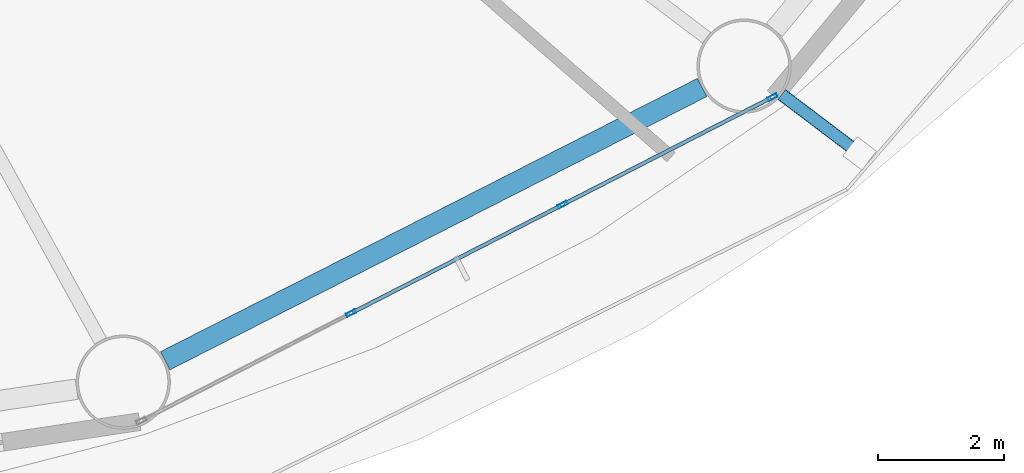
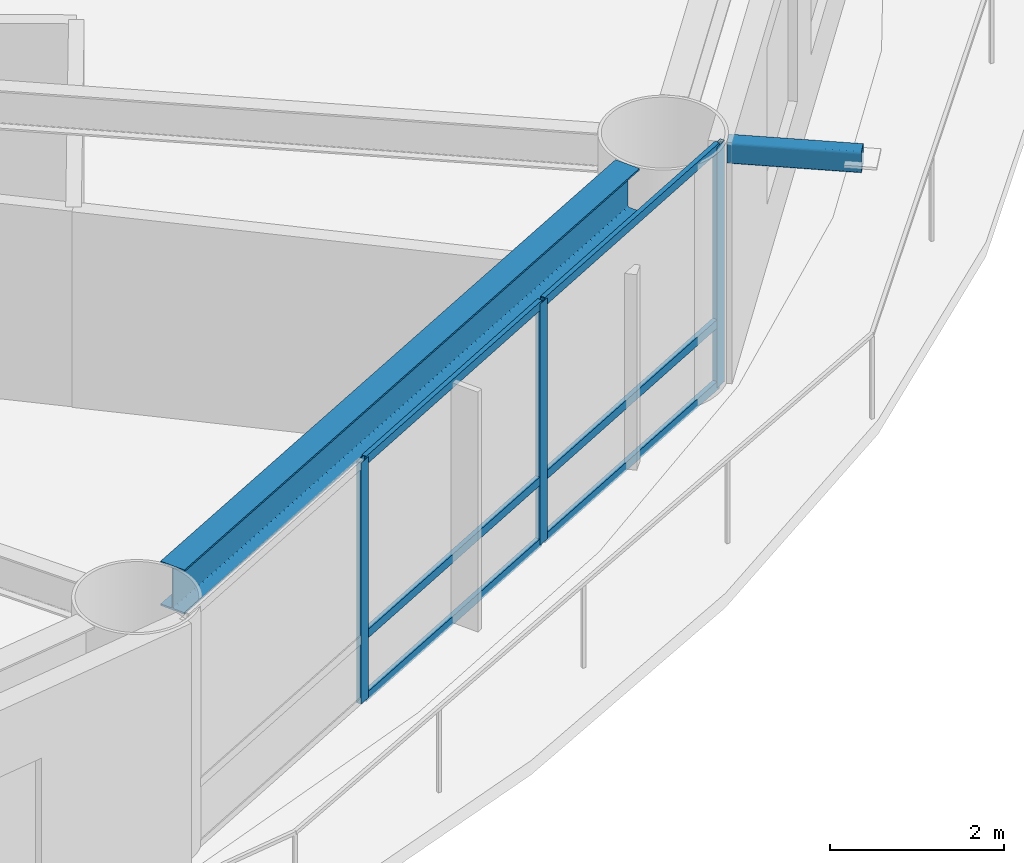
# One storey, part 8 of 26: 10 members, 1 beam, 1 element without a shape of its own.
"""IFC4 building model written with IfcOpenShell, lengths in metres."""

from ifc_helpers import new_model, si_unit, direction, frame, origin, origin_2d, place, context, subcontext, project, spatial, hollow_rectangle, i_section, extrude, material, layer, layer_set, material_profile, profile_set, type_object, element, aggregate, save


model = new_model("IFC4")

# Units and contexts
model_context = context("Model", 3, precision=1e-05, world=origin(), true_north=direction((0.0, 1.0)))
body_context = subcontext(model_context, "Body", "Model", "MODEL_VIEW")
ifc_project = project(units=[si_unit("LENGTHUNIT", "METRE"), si_unit("AREAUNIT", "SQUARE_METRE"), si_unit("VOLUMEUNIT", "CUBIC_METRE"), si_unit("PLANEANGLEUNIT", "RADIAN"), si_unit("MASSUNIT", "GRAM", prefix="KILO")], contexts=[model_context])

# Site, building, storey
site_placement = place(None, origin())
site = spatial("IfcSite", under=ifc_project, at=site_placement, CompositionType="ELEMENT")
building_placement = place(site_placement, origin())
building = spatial("IfcBuilding", under=site, at=building_placement, Name="Sarneth Arch Tower", CompositionType="ELEMENT")
storey_placement = place(building_placement, frame((0.0, 0.0, 71.39990234375)))
storey = spatial("IfcBuildingStorey", under=building, at=storey_placement, Name="L17", CompositionType="ELEMENT", Elevation=71.39990234375)

# Beam
ifc_material_1 = material(Name="Steel S355", Category="steel")
ifc_material_profile_1 = material_profile(ifc_material_1, i_section(OverallWidth=0.326904296875, OverallDepth=0.6220703125, WebThickness=0.015380859375, FlangeThickness=0.0244140625, FilletRadius=0.01904296875, at=origin_2d()), Name="W610x195")
ifc_profile_set_1 = profile_set([ifc_material_profile_1], Name="Steel S355")
beam_type = type_object("IfcBeamType", Name="BM-SPAN-610A", PredefinedType="SPANDREL", material=ifc_profile_set_1)
beam_placement = place(storey_placement, frame((60.486083984375, 20.90625, 3.069091796875), z_axis=(0.891169106887, 0.453671271882, 0.0), x_axis=(-0.453671271882, 0.891169106887, 0.0)))
element("IfcBeam", 1, at=beam_placement, inside=storey, type_object=beam_type, Name="L17 Perimeter spandrel beam 14", PredefinedType="SPANDREL", context=body_context, shape_type="SweptSolid", body=[
    extrude(i_section(OverallWidth=0.326904296875, OverallDepth=0.6220703125, WebThickness=0.015380859375, FlangeThickness=0.0244140625, FilletRadius=0.01904296875, at=origin_2d()), origin(), (0.0, 0.0, 1.0), 9.58544921875),
])

# Curtain wall, members
ifc_material_2 = material(Name="Anodised aluminium Type AA25 and solar-control low-e laminated IGU", Category="aluminium")
ifc_layer = layer(ifc_material_2, 0.159912109375)
ifc_layer_set = layer_set([ifc_layer], Name="Anodised aluminium Type AA25 and solar-control low-e laminated IGU")
curtain_wall_type = type_object("IfcCurtainWallType", Name="CW-HOTEL-LOW", PredefinedType="NOTDEFINED", material=ifc_layer_set)
curtain_wall_placement = place(storey_placement, origin())
curtain_wall = element("IfcCurtainWall", 2, at=curtain_wall_placement, inside=storey, type_object=curtain_wall_type, Name="L17 Unitised curtain wall facet 14", PredefinedType="NOTDEFINED")
ifc_material_3 = material(Name="Anodised Aluminium 6063-T6", Category="aluminium")
ifc_material_profile_2 = material_profile(ifc_material_3, hollow_rectangle(XDim=0.06005859375, YDim=0.159912109375, WallThickness=0.00390625, at=origin_2d()), Name="AL-MULL-160x60x4")
ifc_profile_set_2 = profile_set([ifc_material_profile_2], Name="Anodised Aluminium 6063-T6")
member_type_1 = type_object("IfcMemberType", Name="CW-MULLION", PredefinedType="MULLION", material=ifc_profile_set_2)
member_1_placement = place(storey_placement, frame((63.443359375, 21.663330078125, 0.0), z_axis=(0.0, 0.0, 1.0), x_axis=(-0.456245197127, 0.889854100456, 0.0)))
member_1 = element("IfcMember", 3, at=member_1_placement, type_object=member_type_1, Name="CW-SYS-3 mullion 2", PredefinedType="MULLION", context=body_context, shape_type="SweptSolid", body=[
    extrude(hollow_rectangle(XDim=0.06005859375, YDim=0.159912109375, WallThickness=0.00390625, at=origin_2d()), origin(), (0.0, 0.0, 1.0), 3.380126953125),
])
member_2_placement = place(storey_placement, frame((66.80859375, 23.388671875, 0.0), z_axis=(0.0, 0.0, 1.0), x_axis=(-0.456245197127, 0.889854100456, 0.0)))
member_2 = element("IfcMember", 4, at=member_2_placement, type_object=member_type_1, Name="CW-SYS-3 mullion 3", PredefinedType="MULLION", context=body_context, shape_type="SweptSolid", body=[
    extrude(hollow_rectangle(XDim=0.06005859375, YDim=0.159912109375, WallThickness=0.00390625, at=origin_2d()), origin(), (0.0, 0.0, 1.0), 3.380126953125),
])
member_3_placement = place(storey_placement, frame((70.1474609375, 25.1005859375, 0.0), z_axis=(0.0, 0.0, 1.0), x_axis=(-0.456245197127, 0.889854100456, 0.0)))
member_3 = element("IfcMember", 5, at=member_3_placement, type_object=member_type_1, Name="CW-SYS-3 mullion 4", PredefinedType="MULLION", context=body_context, shape_type="SweptSolid", body=[
    extrude(hollow_rectangle(XDim=0.06005859375, YDim=0.159912109375, WallThickness=0.00390625, at=origin_2d()), origin(), (0.0, 0.0, 1.0), 3.380126953125),
])
ifc_material_4 = material(Name="Anodised Aluminium 6063-T6", Category="aluminium")
ifc_material_profile_3 = material_profile(ifc_material_4, hollow_rectangle(XDim=0.06005859375, YDim=0.1201171875, WallThickness=0.00390625, at=origin_2d()), Name="AL-TRAN-120x60x4")
ifc_profile_set_3 = profile_set([ifc_material_profile_3], Name="Anodised Aluminium 6063-T6")
member_type_2 = type_object("IfcMemberType", Name="CW-TRANSOM", PredefinedType="USERDEFINED", material=ifc_profile_set_3)
member_4_placement = place(storey_placement, frame((63.469970703125, 21.677001953125, 0.030029296875), z_axis=(0.889868677022, 0.456216766083, 0.0), x_axis=(-0.456216766083, 0.889868677022, 0.0)))
member_4 = element("IfcMember", 6, at=member_4_placement, type_object=member_type_2, Name="CW-SYS-3 transom 2.1", ObjectType="TRANSOM", PredefinedType="USERDEFINED", context=body_context, shape_type="SweptSolid", body=[
    extrude(hollow_rectangle(XDim=0.06005859375, YDim=0.1201171875, WallThickness=0.00390625, at=origin_2d()), origin(), (0.0, 0.0, 1.0), 3.721923828125),
])
member_5_placement = place(storey_placement, frame((63.469970703125, 21.677001953125, 0.900146484375), z_axis=(0.889868677022, 0.456216766083, 0.0), x_axis=(-0.456216766083, 0.889868677022, 0.0)))
member_5 = element("IfcMember", 7, at=member_5_placement, type_object=member_type_2, Name="CW-SYS-3 transom 2.2", ObjectType="TRANSOM", PredefinedType="USERDEFINED", context=body_context, shape_type="SweptSolid", body=[
    extrude(hollow_rectangle(XDim=0.06005859375, YDim=0.1201171875, WallThickness=0.00390625, at=origin_2d()), origin(), (0.0, 0.0, 1.0), 3.721923828125),
])
member_6_placement = place(storey_placement, frame((63.469970703125, 21.677001953125, 3.35009765625), z_axis=(0.889868677022, 0.456216766083, 0.0), x_axis=(-0.456216766083, 0.889868677022, 0.0)))
member_6 = element("IfcMember", 8, at=member_6_placement, type_object=member_type_2, Name="CW-SYS-3 transom 2.3", ObjectType="TRANSOM", PredefinedType="USERDEFINED", context=body_context, shape_type="SweptSolid", body=[
    extrude(hollow_rectangle(XDim=0.06005859375, YDim=0.1201171875, WallThickness=0.00390625, at=origin_2d()), origin(), (0.0, 0.0, 1.0), 3.721923828125),
])
member_7_placement = place(storey_placement, frame((66.83544921875, 23.402587890625, 0.030029296875), z_axis=(0.889871845224, 0.456210586327, 0.0), x_axis=(-0.456210586327, 0.889871845224, 0.0)))
member_7 = element("IfcMember", 9, at=member_7_placement, type_object=member_type_2, Name="CW-SYS-3 transom 3.1", ObjectType="TRANSOM", PredefinedType="USERDEFINED", context=body_context, shape_type="SweptSolid", body=[
    extrude(hollow_rectangle(XDim=0.06005859375, YDim=0.1201171875, WallThickness=0.00390625, at=origin_2d()), origin(), (0.0, 0.0, 1.0), 3.69189453125),
])
member_8_placement = place(storey_placement, frame((66.83544921875, 23.402587890625, 0.900146484375), z_axis=(0.889871845224, 0.456210586327, 0.0), x_axis=(-0.456210586327, 0.889871845224, 0.0)))
member_8 = element("IfcMember", 10, at=member_8_placement, type_object=member_type_2, Name="CW-SYS-3 transom 3.2", ObjectType="TRANSOM", PredefinedType="USERDEFINED", context=body_context, shape_type="SweptSolid", body=[
    extrude(hollow_rectangle(XDim=0.06005859375, YDim=0.1201171875, WallThickness=0.00390625, at=origin_2d()), origin(), (0.0, 0.0, 1.0), 3.69189453125),
])
member_9_placement = place(storey_placement, frame((66.83544921875, 23.402587890625, 3.35009765625), z_axis=(0.889871845224, 0.456210586327, 0.0), x_axis=(-0.456210586327, 0.889871845224, 0.0)))
member_9 = element("IfcMember", 11, at=member_9_placement, type_object=member_type_2, Name="CW-SYS-3 transom 3.3", ObjectType="TRANSOM", PredefinedType="USERDEFINED", context=body_context, shape_type="SweptSolid", body=[
    extrude(hollow_rectangle(XDim=0.06005859375, YDim=0.1201171875, WallThickness=0.00390625, at=origin_2d()), origin(), (0.0, 0.0, 1.0), 3.69189453125),
])
aggregate(curtain_wall, [member_1, member_2, member_3, member_4, member_5, member_6, member_7, member_8, member_9])

# Member
ifc_material_5 = material(Name="Steel S355", Category="steel")
ifc_material_profile_4 = material_profile(ifc_material_5, hollow_rectangle(XDim=0.199951171875, YDim=0.300048828125, WallThickness=0.012451171875, InnerFilletRadius=0.018798828125, OuterFilletRadius=0.03125, at=origin_2d()), Name="RHS300x200x12.5")
ifc_profile_set_4 = profile_set([ifc_material_profile_4], Name="Steel S355")
member_type_3 = type_object("IfcMemberType", Name="MEM-CANT-STRUT", PredefinedType="STRUT", material=ifc_profile_set_4)
member_10_placement = place(storey_placement, frame((70.294921875, 25.142822265625, 3.22021484375), z_axis=(0.79767591614, -0.603086339433, 0.0), x_axis=(0.603086339433, 0.79767591614, 0.0)))
element("IfcMember", 12, at=member_10_placement, inside=storey, type_object=member_type_3, Name="L17 Balcony cantilever bracket 15", PredefinedType="STRUT", context=body_context, shape_type="SweptSolid", body=[
    extrude(hollow_rectangle(XDim=0.199951171875, YDim=0.300048828125, WallThickness=0.012451171875, InnerFilletRadius=0.018798828125, OuterFilletRadius=0.03125, at=origin_2d()), origin(), (0.0, 0.0, 1.0), 1.554443359375),
])

save(model, "model.ifc")
